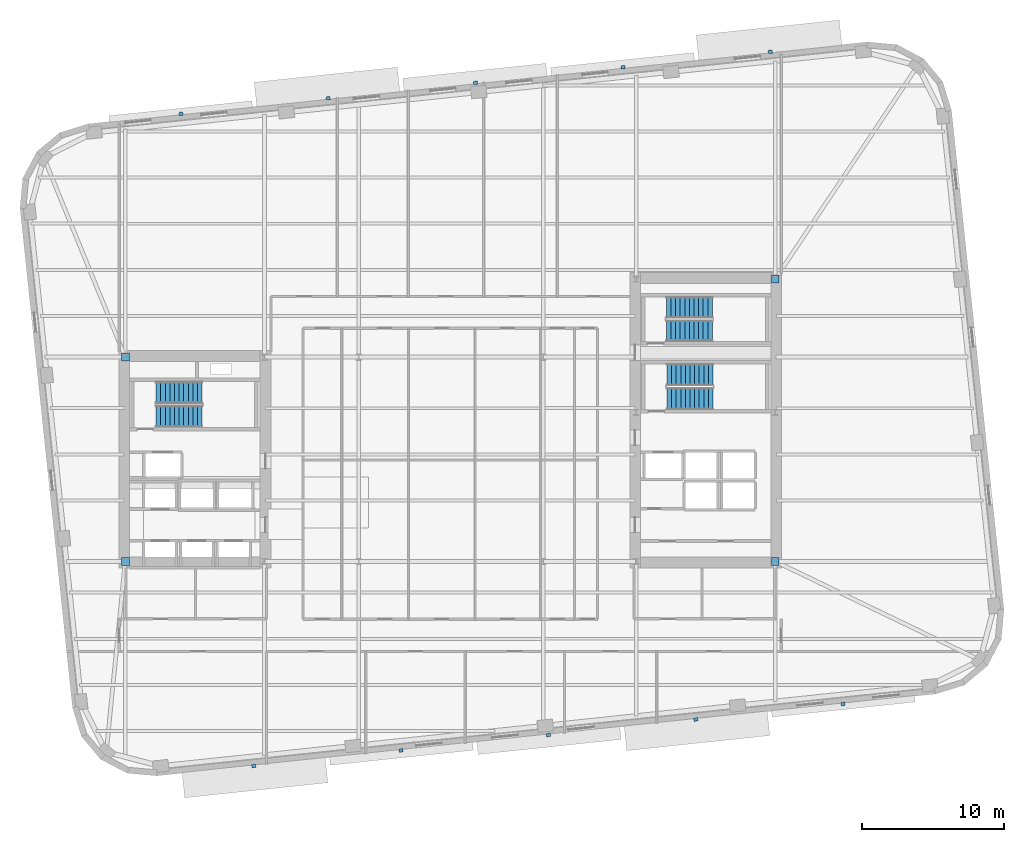
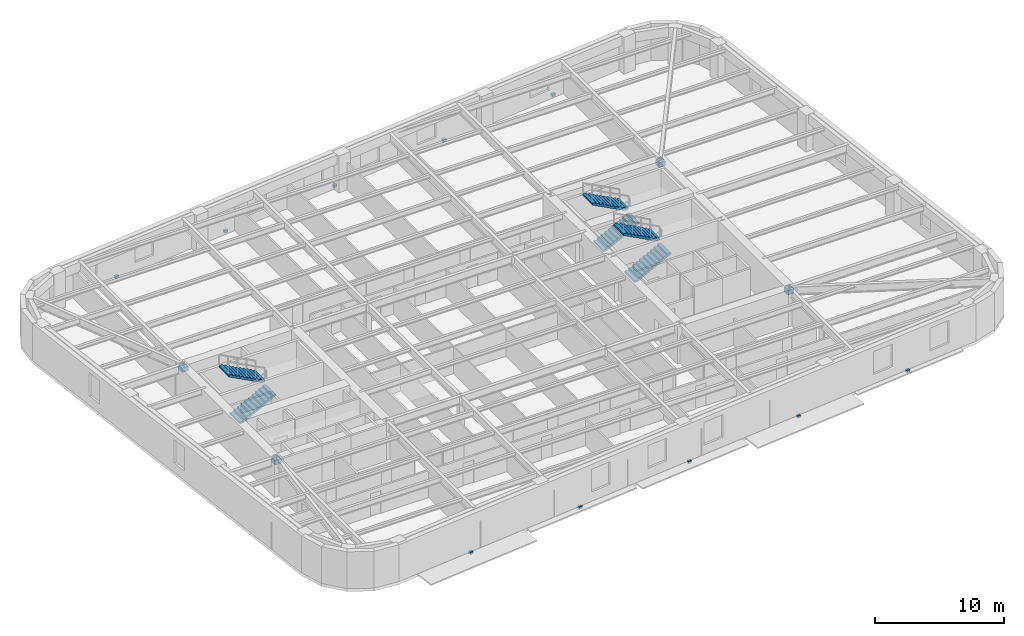
# One storey, part 8 of 13: 14 discrete accessories, 6 stair flights, 3 elements without a shape of their own.
"""IFC4 building model written with IfcOpenShell, lengths in metres."""

from ifc_helpers import new_model, si_unit, direction, frame, origin, origin_2d, place, context, subcontext, project, spatial, polyline, rectangle, outline, extrude, material, type_object, element, aggregate, save


model = new_model("IFC4")

# Units and contexts
model_context = context("Model", 3, precision=1e-05, world=origin(), true_north=direction((0.0, 1.0)))
body_context = subcontext(model_context, "Body", "Model", "MODEL_VIEW")
ifc_project = project(units=[si_unit("LENGTHUNIT", "METRE"), si_unit("AREAUNIT", "SQUARE_METRE"), si_unit("VOLUMEUNIT", "CUBIC_METRE"), si_unit("PLANEANGLEUNIT", "RADIAN"), si_unit("MASSUNIT", "GRAM", prefix="KILO")], contexts=[model_context])

# Site, building, storey
site_placement = place(None, origin())
site = spatial("IfcSite", under=ifc_project, at=site_placement, CompositionType="ELEMENT")
building_placement = place(site_placement, origin())
building = spatial("IfcBuilding", under=site, at=building_placement, Name="Kolvaren Arena Tower", CompositionType="ELEMENT")
storey_placement = place(building_placement, frame((0.0, 0.0, 145.75)))
storey = spatial("IfcBuildingStorey", under=building, at=storey_placement, Name="L34", CompositionType="ELEMENT", Elevation=145.75)

# Stair, stair flights
ifc_material_1 = material(Name="Concrete 45 MPa", Category="concrete")
stair_type_1 = type_object("IfcStairType", Name="STAIR-CORE-150", PredefinedType="HALF_TURN_STAIR", material=ifc_material_1)
stair_1_placement = place(storey_placement, origin())
stair_1 = element("IfcStair", 1, at=stair_1_placement, inside=storey, type_object=stair_type_1, Name="L34 ST-E2", PredefinedType="HALF_TURN_STAIR")
stair_flight_type_1 = type_object("IfcStairFlightType", Name="FLT-150", PredefinedType="STRAIGHT", material=ifc_material_1)
stair_flight_1_placement = place(storey_placement, frame((52.679931640625, 35.699951171875, 0.0), z_axis=(0.0, 0.0, 1.0), x_axis=(1.0, 0.0, 0.0)))
stair_flight_1 = element("IfcStairFlight", 2, at=stair_flight_1_placement, type_object=stair_flight_type_1, Name="ST-E2 flight 1", NumberOfRisers=11, NumberOfTreads=10, PredefinedType="STRAIGHT", RiserHeight=0.170454545, TreadLength=0.324, context=body_context, shape_type="SweptSolid", body=[
    extrude(outline(polyline([(0.0, 0.0), (0.0, 0.17041015625), (0.323974609375, 0.17041015625), (0.323974609375, 0.3408203125), (0.64794921875, 0.3408203125), (0.64794921875, 0.511474609375), (0.971923828125, 0.511474609375), (0.971923828125, 0.681884765625), (1.2958984375, 0.681884765625), (1.2958984375, 0.852294921875), (1.6201171875, 0.852294921875), (1.6201171875, 1.022705078125), (1.944091796875, 1.022705078125), (1.944091796875, 1.193115234375), (2.26806640625, 1.193115234375), (2.26806640625, 1.363525390625), (2.592041015625, 1.363525390625), (2.592041015625, 1.5341796875), (2.916015625, 1.5341796875), (2.916015625, 1.70458984375), (3.239990234375, 1.70458984375), (3.239990234375, 1.875), (3.239990234375, 1.53515625), (0.322021484375, 0.0), (0.0, 0.0)])), frame((0.0, 0.75, 0.0), z_axis=(0.0, -1.0, 0.0), x_axis=(1.0, 0.0, 0.0)), (0.0, 0.0, 1.0), 1.5),
])
stair_flight_2_placement = place(storey_placement, frame((55.919921875, 37.35009765625, 1.875), z_axis=(0.0, 0.0, 1.0), x_axis=(-1.0, 0.0, 0.0)))
stair_flight_2 = element("IfcStairFlight", 3, at=stair_flight_2_placement, type_object=stair_flight_type_1, Name="ST-E2 flight 2", NumberOfRisers=11, NumberOfTreads=10, PredefinedType="STRAIGHT", RiserHeight=0.170454545, TreadLength=0.324, context=body_context, shape_type="SweptSolid", body=[
    extrude(outline(polyline([(0.0, 0.0), (0.0, 0.17041015625), (0.323974609375, 0.17041015625), (0.323974609375, 0.3408203125), (0.64794921875, 0.3408203125), (0.64794921875, 0.511474609375), (0.971923828125, 0.511474609375), (0.971923828125, 0.681884765625), (1.2958984375, 0.681884765625), (1.2958984375, 0.852294921875), (1.6201171875, 0.852294921875), (1.6201171875, 1.022705078125), (1.944091796875, 1.022705078125), (1.944091796875, 1.193115234375), (2.26806640625, 1.193115234375), (2.26806640625, 1.363525390625), (2.592041015625, 1.363525390625), (2.592041015625, 1.5341796875), (2.916015625, 1.5341796875), (2.916015625, 1.70458984375), (3.239990234375, 1.70458984375), (3.239990234375, 1.875), (3.239990234375, 1.53515625), (0.322021484375, 0.0), (0.0, 0.0)])), frame((0.0, 0.75, 0.0), z_axis=(0.0, -1.0, 0.0), x_axis=(1.0, 0.0, 0.0)), (0.0, 0.0, 1.0), 1.5),
])
aggregate(stair_1, [stair_flight_1, stair_flight_2])

stair_type_2 = type_object("IfcStairType", Name="STAIR-CORE-165", PredefinedType="HALF_TURN_STAIR", material=ifc_material_1)
stair_2_placement = place(storey_placement, origin())
stair_2 = element("IfcStair", 4, at=stair_2_placement, inside=storey, type_object=stair_type_2, Name="L34 ST-W1", PredefinedType="HALF_TURN_STAIR")
stair_flight_type_2 = type_object("IfcStairFlightType", Name="FLT-165", PredefinedType="STRAIGHT", material=ifc_material_1)
stair_flight_3_placement = place(storey_placement, frame((16.719970703125, 29.669921875, 0.0), z_axis=(0.0, 0.0, 1.0), x_axis=(1.0, 0.0, 0.0)))
stair_flight_3 = element("IfcStairFlight", 5, at=stair_flight_3_placement, type_object=stair_flight_type_2, Name="ST-W1 flight 1", NumberOfRisers=11, NumberOfTreads=10, PredefinedType="STRAIGHT", RiserHeight=0.170454545, TreadLength=0.324, context=body_context, shape_type="SweptSolid", body=[
    extrude(outline(polyline([(0.0, 0.0), (0.0, 0.17041015625), (0.323974609375, 0.17041015625), (0.323974609375, 0.3408203125), (0.64794921875, 0.3408203125), (0.64794921875, 0.511474609375), (0.971923828125, 0.511474609375), (0.971923828125, 0.681884765625), (1.2958984375, 0.681884765625), (1.2958984375, 0.852294921875), (1.6201171875, 0.852294921875), (1.6201171875, 1.022705078125), (1.944091796875, 1.022705078125), (1.944091796875, 1.193115234375), (2.26806640625, 1.193115234375), (2.26806640625, 1.363525390625), (2.592041015625, 1.363525390625), (2.592041015625, 1.5341796875), (2.916015625, 1.5341796875), (2.916015625, 1.70458984375), (3.239990234375, 1.70458984375), (3.239990234375, 1.875), (3.239990234375, 1.53515625), (0.322021484375, 0.0), (0.0, 0.0)])), frame((0.0, 0.77001953125, 0.0), z_axis=(0.0, -1.0, 0.0), x_axis=(1.0, 0.0, 0.0)), (0.0, 0.0, 1.0), 1.5400390625),
])
stair_flight_4_placement = place(storey_placement, frame((19.9599609375, 31.360107421875, 1.875), z_axis=(0.0, 0.0, 1.0), x_axis=(-1.0, 0.0, 0.0)))
stair_flight_4 = element("IfcStairFlight", 6, at=stair_flight_4_placement, type_object=stair_flight_type_2, Name="ST-W1 flight 2", NumberOfRisers=11, NumberOfTreads=10, PredefinedType="STRAIGHT", RiserHeight=0.170454545, TreadLength=0.324, context=body_context, shape_type="SweptSolid", body=[
    extrude(outline(polyline([(0.0, 0.0), (0.0, 0.17041015625), (0.323974609375, 0.17041015625), (0.323974609375, 0.3408203125), (0.64794921875, 0.3408203125), (0.64794921875, 0.511474609375), (0.971923828125, 0.511474609375), (0.971923828125, 0.681884765625), (1.2958984375, 0.681884765625), (1.2958984375, 0.852294921875), (1.6201171875, 0.852294921875), (1.6201171875, 1.022705078125), (1.944091796875, 1.022705078125), (1.944091796875, 1.193115234375), (2.26806640625, 1.193115234375), (2.26806640625, 1.363525390625), (2.592041015625, 1.363525390625), (2.592041015625, 1.5341796875), (2.916015625, 1.5341796875), (2.916015625, 1.70458984375), (3.239990234375, 1.70458984375), (3.239990234375, 1.875), (3.239990234375, 1.53515625), (0.322021484375, 0.0), (0.0, 0.0)])), frame((0.0, 0.77001953125, 0.0), z_axis=(0.0, -1.0, 0.0), x_axis=(1.0, 0.0, 0.0)), (0.0, 0.0, 1.0), 1.5400390625),
])
aggregate(stair_2, [stair_flight_3, stair_flight_4])

stair_3_placement = place(storey_placement, origin())
stair_3 = element("IfcStair", 7, at=stair_3_placement, inside=storey, type_object=stair_type_2, Name="L34 ST-E1", PredefinedType="HALF_TURN_STAIR")
stair_flight_5_placement = place(storey_placement, frame((52.719970703125, 30.919921875, 0.0), z_axis=(0.0, 0.0, 1.0), x_axis=(1.0, 0.0, 0.0)))
stair_flight_5 = element("IfcStairFlight", 8, at=stair_flight_5_placement, type_object=stair_flight_type_2, Name="ST-E1 flight 1", NumberOfRisers=11, NumberOfTreads=10, PredefinedType="STRAIGHT", RiserHeight=0.170454545, TreadLength=0.324, context=body_context, shape_type="SweptSolid", body=[
    extrude(outline(polyline([(0.0, 0.0), (0.0, 0.17041015625), (0.323974609375, 0.17041015625), (0.323974609375, 0.3408203125), (0.64794921875, 0.3408203125), (0.64794921875, 0.511474609375), (0.971923828125, 0.511474609375), (0.971923828125, 0.681884765625), (1.2958984375, 0.681884765625), (1.2958984375, 0.852294921875), (1.6201171875, 0.852294921875), (1.6201171875, 1.022705078125), (1.944091796875, 1.022705078125), (1.944091796875, 1.193115234375), (2.26806640625, 1.193115234375), (2.26806640625, 1.363525390625), (2.592041015625, 1.363525390625), (2.592041015625, 1.5341796875), (2.916015625, 1.5341796875), (2.916015625, 1.70458984375), (3.239990234375, 1.70458984375), (3.239990234375, 1.875), (3.239990234375, 1.53515625), (0.322021484375, 0.0), (0.0, 0.0)])), frame((0.0, 0.77001953125, 0.0), z_axis=(0.0, -1.0, 0.0), x_axis=(1.0, 0.0, 0.0)), (0.0, 0.0, 1.0), 1.5400390625),
])
stair_flight_6_placement = place(storey_placement, frame((55.9599609375, 32.610107421875, 1.875), z_axis=(0.0, 0.0, 1.0), x_axis=(-1.0, 0.0, 0.0)))
stair_flight_6 = element("IfcStairFlight", 9, at=stair_flight_6_placement, type_object=stair_flight_type_2, Name="ST-E1 flight 2", NumberOfRisers=11, NumberOfTreads=10, PredefinedType="STRAIGHT", RiserHeight=0.170454545, TreadLength=0.324, context=body_context, shape_type="SweptSolid", body=[
    extrude(outline(polyline([(0.0, 0.0), (0.0, 0.17041015625), (0.323974609375, 0.17041015625), (0.323974609375, 0.3408203125), (0.64794921875, 0.3408203125), (0.64794921875, 0.511474609375), (0.971923828125, 0.511474609375), (0.971923828125, 0.681884765625), (1.2958984375, 0.681884765625), (1.2958984375, 0.852294921875), (1.6201171875, 0.852294921875), (1.6201171875, 1.022705078125), (1.944091796875, 1.022705078125), (1.944091796875, 1.193115234375), (2.26806640625, 1.193115234375), (2.26806640625, 1.363525390625), (2.592041015625, 1.363525390625), (2.592041015625, 1.5341796875), (2.916015625, 1.5341796875), (2.916015625, 1.70458984375), (3.239990234375, 1.70458984375), (3.239990234375, 1.875), (3.239990234375, 1.53515625), (0.322021484375, 0.0), (0.0, 0.0)])), frame((0.0, 0.77001953125, 0.0), z_axis=(0.0, -1.0, 0.0), x_axis=(1.0, 0.0, 0.0)), (0.0, 0.0, 1.0), 1.5400390625),
])
aggregate(stair_3, [stair_flight_5, stair_flight_6])

# Discrete accessories
ifc_material_2 = material(Name="Stainless steel facade support bracket", Category="steel")
discrete_accessory_type_1 = type_object("IfcDiscreteAccessoryType", Name="ACC-BRKT-1", PredefinedType="BRACKET", material=ifc_material_2)
for number, where, z_axis, x_axis, name in (
    (10, (18.468505859375, 50.9951171875, -0.18017578125), (0.0, 0.0, 1.0), (0.994522077803, 0.104526727499, 0.0), "Sunshade Support Bracket (L34)"),
    (11, (28.851318359375, 52.08642578125, -0.18017578125), (0.0, 0.0, 1.0), (0.994522077803, 0.104526727499, 0.0), "Sunshade Support Bracket (L34)"),
    (12, (39.234130859375, 53.177734375, -0.18017578125), (0.0, 0.0, 1.0), (0.994522077803, 0.104526727499, 0.0), "Sunshade Support Bracket (L34)"),
    (13, (49.616943359375, 54.268798828125, -0.18017578125), (0.0, 0.0, 1.0), (0.994522077803, 0.104526727499, 0.0), "Sunshade Support Bracket (L34)"),
    (14, (59.999755859375, 55.360107421875, -0.18017578125), (0.0, 0.0, 1.0), (0.994522077803, 0.104526727499, 0.0), "Sunshade Support Bracket (L34)"),
    (15, (65.131591796875, 9.40478515625, -0.18017578125), (0.0, 0.0, 1.0), (-0.994522077803, -0.104526727499, 0.0), "Sunshade Support Bracket (L34)"),
    (16, (54.748779296875, 8.313720703125, -0.18017578125), (0.0, 0.0, 1.0), (-0.994522077803, -0.104526727499, 0.0), "Sunshade Support Bracket (L34)"),
    (17, (44.365966796875, 7.222412109375, -0.18017578125), (0.0, 0.0, 1.0), (-0.994522077803, -0.104526727499, 0.0), "Sunshade Support Bracket (L34)"),
    (18, (33.983154296875, 6.131103515625, -0.18017578125), (0.0, 0.0, 1.0), (-0.994522077803, -0.104526727499, 0.0), "Sunshade Support Bracket (L34)"),
    (19, (23.600341796875, 5.039794921875, -0.18017578125), (0.0, 0.0, 1.0), (-0.994522077803, -0.104526727499, 0.0), "Sunshade Support Bracket (L34)"),
):
    element("IfcDiscreteAccessory", number, at=place(storey_placement, frame(where, z_axis=z_axis, x_axis=x_axis)), inside=storey, type_object=discrete_accessory_type_1, Name=name, PredefinedType="BRACKET", context=body_context, shape_type="SweptSolid", body=[
        extrude(rectangle(XDim=0.280029296875, YDim=0.239990234375, at=origin_2d()), origin(), (0.0, 0.0, 1.0), 0.239990234375),
    ])
ifc_material_3 = material(Name="Steel CSA G40.21 350W bolted gusset connection", Category="steel")
discrete_accessory_type_2 = type_object("IfcDiscreteAccessoryType", Name="ACC-CONN-1", PredefinedType="BRACKET", material=ifc_material_3)
for number, where, z_axis, x_axis, name in (
    (20, (60.35009765625, 19.449951171875, 2.87353515625), (0.0, 0.0, 1.0), (1.0, 0.0, 0.0), "Core Wall Cast-In Embed Plate EP1 (L34)"),
    (21, (60.35009765625, 39.35009765625, 2.87353515625), (0.0, 0.0, 1.0), (1.0, 0.0, 0.0), "Core Wall Cast-In Embed Plate EP1 (L34)"),
    (22, (14.550048828125, 33.85009765625, 2.87353515625), (0.0, 0.0, 1.0), (1.0, 0.0, 0.0), "Core Wall Cast-In Embed Plate EP1 (L34)"),
    (23, (14.550048828125, 19.449951171875, 2.87353515625), (0.0, 0.0, 1.0), (1.0, 0.0, 0.0), "Core Wall Cast-In Embed Plate EP1 (L34)"),
):
    element("IfcDiscreteAccessory", number, at=place(storey_placement, frame(where, z_axis=z_axis, x_axis=x_axis)), inside=storey, type_object=discrete_accessory_type_2, Name=name, PredefinedType="BRACKET", context=body_context, shape_type="SweptSolid", body=[
        extrude(rectangle(XDim=0.56005859375, YDim=0.56005859375, at=origin_2d()), origin(), (0.0, 0.0, 1.0), 0.43994140625),
    ])

save(model, "model.ifc")
